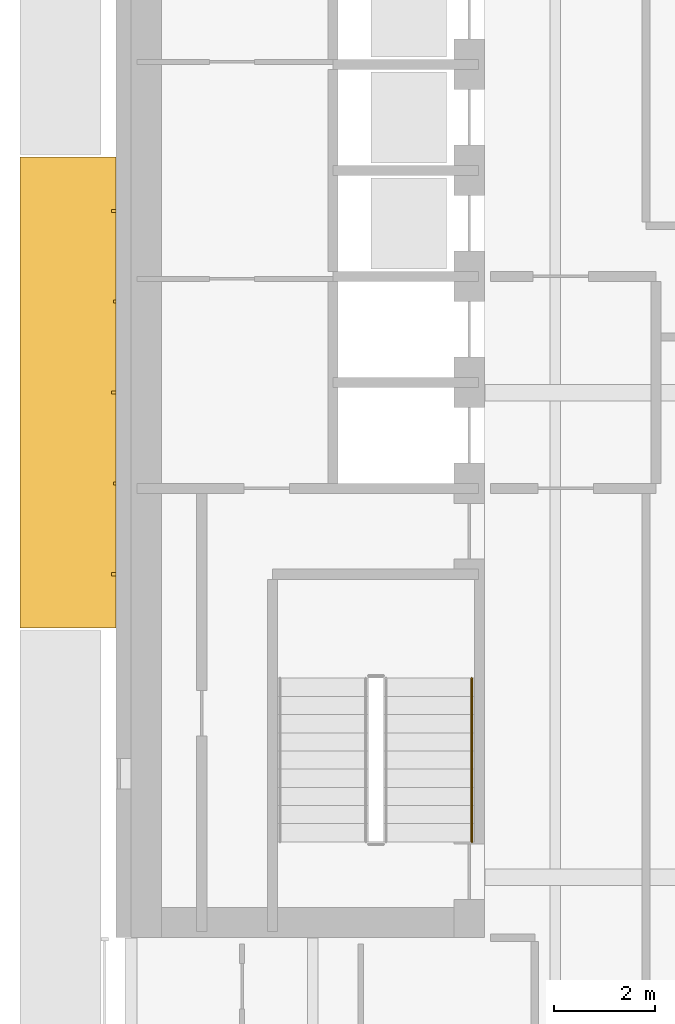
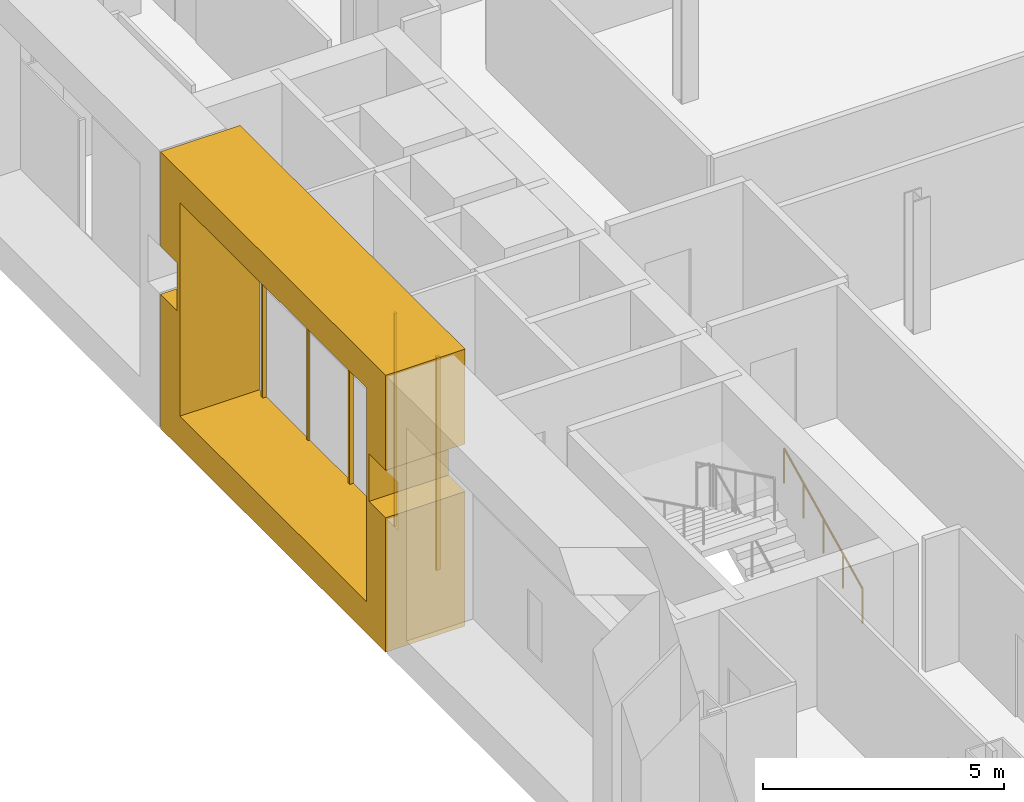
# One storey, part 15 of 19: 6 coverings, 1 railing.
"""IFC4 building model written with IfcOpenShell, lengths in metres."""

import ifcopenshell
import ifcopenshell.guid

model = None  # the IFC model being written
_history = None  # IfcOwnerHistory: only IFC2X3 demands one
_inside = {}  # id of a spatial element -> (the spatial element, [elements in it])
_under = {}  # id of a project, library or spatial element -> (it, [spatial elements below it])
_declared = {}  # id of a project -> (the project, [libraries it declares])
_typed = {}  # id of a type object -> (the type object, [elements of that type])
_made_of = {}  # id of a material, layer set ... -> (it, [elements and type objects made of it])


def new_model(schema):
    """Start an empty IFC model of exactly this schema.

    Asked for "IFC4X3", IfcOpenShell would pick the latest addendum, in which some entities
    have other attributes; the version numbers below select the first issue.
    IFC2X3 requires an IfcOwnerHistory on every rooted entity: one is made here for all.
    """
    global model, _history
    if schema == "IFC4X3":
        model = ifcopenshell.file(schema_version=(4, 3, 0, 0))
    else:
        model = ifcopenshell.file(schema=schema)
    _inside.clear()
    _under.clear()
    _declared.clear()
    _typed.clear()
    _made_of.clear()
    _history = None
    if model.schema == "IFC2X3":
        org = make("IfcOrganization", Name="unknown")
        user = make(
            "IfcPersonAndOrganization",
            ThePerson=make("IfcPerson", FamilyName="unknown"),
            TheOrganization=org,
        )
        app = make(
            "IfcApplication",
            ApplicationDeveloper=org,
            Version="unknown",
            ApplicationFullName="unknown",
            ApplicationIdentifier="unknown",
        )
        _history = make(
            "IfcOwnerHistory",
            OwningUser=user,
            OwningApplication=app,
            ChangeAction="ADDED",
            CreationDate=0,
        )
    return model


def make(cls, **values):
    """One entity of the class cls with the attributes given. An attribute that is None is left unset."""
    return model.create_entity(
        cls, **{name: value for name, value in values.items() if value is not None}
    )


def rooted(cls, **values):
    """An entity with a GlobalId (a new one), such as an element, a storey or a relation."""
    return make(cls, GlobalId=ifcopenshell.guid.new(), OwnerHistory=_history, **values)


def si_unit(unit_type, name, prefix=None):
    """IfcSIUnit, for example si_unit("LENGTHUNIT", "METRE", prefix="MILLI")."""
    return make("IfcSIUnit", UnitType=unit_type, Prefix=prefix, Name=name)


def assignment(units):
    """IfcUnitAssignment: the units of a project."""
    return None if units is None else make("IfcUnitAssignment", Units=units)


def point(xyz):
    """IfcCartesianPoint."""
    return None if xyz is None else make("IfcCartesianPoint", Coordinates=xyz)


def direction(xyz):
    """IfcDirection."""
    return None if xyz is None else make("IfcDirection", DirectionRatios=xyz)


def frame(location, z_axis=None, x_axis=None):
    """IfcAxis2Placement3D, a coordinate frame: its origin and axes. An axis left out is left unset."""
    return make(
        "IfcAxis2Placement3D",
        Location=point(location),
        Axis=direction(z_axis),
        RefDirection=direction(x_axis),
    )


def frame_2d(location, x_axis=None):
    """IfcAxis2Placement2D, a coordinate frame in the plane: its origin and x axis."""
    return make(
        "IfcAxis2Placement2D", Location=point(location), RefDirection=direction(x_axis)
    )


def origin():
    """The frame at (0, 0, 0) with its axes left unset."""
    return frame((0.0, 0.0, 0.0))


def origin_2d():
    """The frame at (0, 0) in the plane with its x axis left unset."""
    return frame_2d((0.0, 0.0))


def place(relative_to, where):
    """IfcLocalPlacement: puts the frame where relative to a parent placement (None: the world)."""
    return make(
        "IfcLocalPlacement", PlacementRelTo=relative_to, RelativePlacement=where
    )


def context(
    kind, dimensions, precision=None, world=None, true_north=None, identifier=None
):
    """IfcGeometricRepresentationContext, for example the 3D "Model" context."""
    return make(
        "IfcGeometricRepresentationContext",
        ContextIdentifier=identifier,
        ContextType=kind,
        CoordinateSpaceDimension=dimensions,
        Precision=precision,
        WorldCoordinateSystem=world,
        TrueNorth=true_north,
    )


def subcontext(parent, identifier, kind, view, scale=None):
    """IfcGeometricRepresentationSubContext, for example "Body" below "Model"."""
    return make(
        "IfcGeometricRepresentationSubContext",
        ContextIdentifier=identifier,
        ContextType=kind,
        ParentContext=parent,
        TargetScale=scale,
        TargetView=view,
    )


def project(units=None, contexts=None):
    """IfcProject with its units and contexts."""
    return rooted(
        "IfcProject",
        Name="project",
        RepresentationContexts=contexts,
        UnitsInContext=assignment(units),
    )


def spatial(cls, under=None, at=None, **own):
    """A site, building, storey or space (cls), placed at a placement, below another one or the project."""
    s = rooted(cls, ObjectPlacement=at, **own)
    if under is not None:
        _under.setdefault(under.id(), (under, []))[1].append(s)
    return s


def polyline(points):
    """IfcPolyline through the points."""
    return make("IfcPolyline", Points=[point(p) for p in points])


def profile(cls, at=None, kind="AREA", **sizes):
    """A parametric profile (cls). Its sizes go by their IFC names, for example OverallWidth=200.0."""
    return make(cls, ProfileType=kind, Position=at, **sizes)


def rectangle(**sizes):
    """IfcRectangleProfileDef."""
    return profile("IfcRectangleProfileDef", **sizes)


def circle(**sizes):
    """IfcCircleProfileDef."""
    return profile("IfcCircleProfileDef", **sizes)


def outline(outer, holes=None, kind="AREA"):
    """IfcArbitraryClosedProfileDef: a profile drawn as a closed curve; with holes, ...WithVoids."""
    if holes is None:
        return make("IfcArbitraryClosedProfileDef", ProfileType=kind, OuterCurve=outer)
    return make(
        "IfcArbitraryProfileDefWithVoids",
        ProfileType=kind,
        OuterCurve=outer,
        InnerCurves=holes,
    )


def extrude(swept, where, along, depth):
    """IfcExtrudedAreaSolid: the profile swept, set in the frame where, extruded along a direction by depth."""
    return make(
        "IfcExtrudedAreaSolid",
        SweptArea=swept,
        Position=where,
        ExtrudedDirection=direction(along),
        Depth=depth,
    )


def shape(context_of_items, identifier, shape_type, items):
    """IfcShapeRepresentation: the items that make up one representation, for example the "Body"."""
    return make(
        "IfcShapeRepresentation",
        ContextOfItems=context_of_items,
        RepresentationIdentifier=identifier,
        RepresentationType=shape_type,
        Items=items,
    )


def material(Name=None, Category=None):
    """IfcMaterial."""
    return make("IfcMaterial", Name=Name, Category=Category)


def made_of(thing, what):
    """Note that an element or type object is made of a material, layer set ...; save() writes the relation."""
    if what is not None:
        _made_of.setdefault(what.id(), (what, []))[1].append(thing)
    return thing


def type_object(cls, material=None, **own):
    """A type object (cls), such as IfcWallType, which elements share."""
    return made_of(rooted(cls, **own), material)


def element(
    cls,
    number,
    at=None,
    inside=None,
    cuts=None,
    type_object=None,
    material=None,
    context=None,
    identifier="Body",
    shape_type=None,
    held_by="IfcProductDefinitionShape",
    body=None,
    shapes=None,
    **own,
):
    """One element of the class cls, such as IfcWall. Its Tag is "e" and its number.

    at: its placement. inside: the storey or other place that contains it. cuts: it is an
    opening in that element (IfcRelVoidsElement). A single representation is given by context,
    identifier, shape_type and body (its items); several are given by shapes. held_by: the class
    of the entity that holds the representations. save() writes the other relations.
    """
    e = rooted(cls, Tag="e%d" % number, ObjectPlacement=at, **own)
    if body is not None:
        shapes = [shape(context, identifier, shape_type, body)]
    if shapes is not None:
        e.Representation = make(held_by, Representations=shapes)
    if inside is not None:
        _inside.setdefault(inside.id(), (inside, []))[1].append(e)
    if cuts is not None:
        rooted(
            "IfcRelVoidsElement", RelatingBuildingElement=cuts, RelatedOpeningElement=e
        )
    if type_object is not None:
        _typed.setdefault(type_object.id(), (type_object, []))[1].append(e)
    return made_of(e, material)


def aggregate(whole, parts):
    """IfcRelAggregates: a whole, such as a stair, and the parts it consists of."""
    return rooted("IfcRelAggregates", RelatingObject=whole, RelatedObjects=parts)


def save(model, path):
    """Write the relations noted so far, then the file.

    IfcRelAggregates (storeys below a building ...), IfcRelContainedInSpatialStructure (elements
    in a storey), IfcRelDefinesByType, IfcRelAssociatesMaterial and IfcRelDeclares: one each for
    every whole, place, type object, material and project.
    """
    for whole, parts in _under.values():
        aggregate(whole, parts)
    for where, things in _inside.values():
        rooted(
            "IfcRelContainedInSpatialStructure",
            RelatedElements=things,
            RelatingStructure=where,
        )
    for kind, things in _typed.values():
        rooted("IfcRelDefinesByType", RelatedObjects=things, RelatingType=kind)
    for what, things in _made_of.values():
        rooted("IfcRelAssociatesMaterial", RelatedObjects=things, RelatingMaterial=what)
    for by, libraries in _declared.values():
        rooted("IfcRelDeclares", RelatingContext=by, RelatedDefinitions=libraries)
    model.write(path)


model = new_model("IFC4")

# Units and contexts
model_context = context("Model", 3, precision=1e-05, world=origin(), true_north=direction((0.0, 1.0)))
body_context = subcontext(model_context, "Body", "Model", "MODEL_VIEW")
ifc_project = project(units=[si_unit("LENGTHUNIT", "METRE"), si_unit("AREAUNIT", "SQUARE_METRE"), si_unit("VOLUMEUNIT", "CUBIC_METRE"), si_unit("PLANEANGLEUNIT", "RADIAN"), si_unit("MASSUNIT", "GRAM", prefix="KILO")], contexts=[model_context])

# Site, building, storey
site_placement = place(None, origin())
site = spatial("IfcSite", under=ifc_project, at=site_placement, CompositionType="ELEMENT")
building_placement = place(site_placement, origin())
building = spatial("IfcBuilding", under=site, at=building_placement, Name="Cobrizo Arcos Hotel Tower", CompositionType="ELEMENT")
storey_placement = place(building_placement, frame((0.0, 0.0, 103.0)))
storey = spatial("IfcBuildingStorey", under=building, at=storey_placement, Name="L25", CompositionType="ELEMENT", Elevation=103.0)

# Coverings
ifc_material_1 = material(Name="Aluminium 6063-T6 anodised bronze", Category="aluminium")
covering_type_1 = type_object("IfcCoveringType", Name="FIN-F 1900", PredefinedType="CLADDING", material=ifc_material_1)
covering_placement = place(storey_placement, frame((-23.10009765625, 4.66259765625, 0.0), z_axis=(-1.0, 0.0, 0.0), x_axis=(0.0, -1.0, 0.0)))
element("IfcCovering", 1, at=covering_placement, inside=storey, type_object=covering_type_1, Name="Fin frame 156", PredefinedType="CLADDING", context=body_context, shape_type="SweptSolid", body=[
    extrude(outline(polyline([(9.324951171875, 0.0), (9.324951171875, 3.39794921875), (8.635498046875, 3.39794921875), (8.635498046875, 4.60205078125), (9.324951171875, 4.60205078125), (9.324951171875, 7.0), (0.0, 7.0), (0.0, 4.60205078125), (0.689453125, 4.60205078125), (0.689453125, 3.39794921875), (0.0, 3.39794921875), (0.0, 0.0), (9.324951171875, 0.0)]), holes=[polyline([(8.52490234375, 0.800048828125), (0.800048828125, 0.800048828125), (0.800048828125, 6.199951171875), (8.52490234375, 6.199951171875), (8.52490234375, 0.800048828125)])]), origin(), (0.0, 0.0, 1.0), 1.89990234375),
])
ifc_material_2 = material(Name="Aluminium 6063-T6 anodised pale", Category="aluminium")
covering_type_2 = type_object("IfcCoveringType", Name="RS-1 rainscreen rib 60x90", PredefinedType="CLADDING", material=ifc_material_2)
for number, where, z_axis, x_axis, name in (
    (2, (-23.14501953125, 3.60009765625, 0.800048828125), (0.0, 0.0, 1.0), (0.0, -1.0, 0.0), "Rainscreen rib 154"),
    (3, (-23.14501953125, 0.0, 0.800048828125), (0.0, 0.0, 1.0), (0.0, -1.0, 0.0), "Rainscreen rib 156"),
    (4, (-23.14501953125, -3.60009765625, 0.800048828125), (0.0, 0.0, 1.0), (0.0, -1.0, 0.0), "Rainscreen rib 158"),
):
    element("IfcCovering", number, at=place(storey_placement, frame(where, z_axis=z_axis, x_axis=x_axis)), inside=storey, type_object=covering_type_2, Name=name, PredefinedType="CLADDING", context=body_context, shape_type="SweptSolid", body=[
        extrude(rectangle(XDim=0.06005859375, YDim=0.090087890625, at=origin_2d()), origin(), (0.0, 0.0, 1.0), 5.39990234375),
    ])
covering_type_3 = type_object("IfcCoveringType", Name="RS-2 rainscreen rib 60x50", PredefinedType="CLADDING", material=ifc_material_2)
for number, where, z_axis, x_axis, name in (
    (5, (-23.125, 1.800048828125, 0.800048828125), (0.0, 0.0, 1.0), (0.0, -1.0, 0.0), "Rainscreen rib 155"),
    (6, (-23.125, -1.800048828125, 0.800048828125), (0.0, 0.0, 1.0), (0.0, -1.0, 0.0), "Rainscreen rib 157"),
):
    element("IfcCovering", number, at=place(storey_placement, frame(where, z_axis=z_axis, x_axis=x_axis)), inside=storey, type_object=covering_type_3, Name=name, PredefinedType="CLADDING", context=body_context, shape_type="SweptSolid", body=[
        extrude(rectangle(XDim=0.06005859375, YDim=0.050048828125, at=origin_2d()), origin(), (0.0, 0.0, 1.0), 5.39990234375),
    ])

# Railing
ifc_material_3 = material(Name="Stainless steel railing", Category="steel")
railing_type = type_object("IfcRailingType", Name="Stair handrail", PredefinedType="HANDRAIL", material=ifc_material_3)
railing_placement = place(storey_placement, frame((-16.050048828125, -8.89990234375, 0.175048828125)))
element("IfcRailing", 7, at=railing_placement, inside=storey, type_object=railing_type, Name="L25 ST-W stair handrail 1", PredefinedType="HANDRAIL", context=body_context, shape_type="SweptSolid", body=[
    extrude(circle(Radius=0.02392578125, at=origin_2d()), frame((0.0, 0.0, 0.8759765625), z_axis=(0.0, 0.899372665325, 0.437182809435), x_axis=(-1.0, 0.0, 0.0)), (0.0, 0.0, 1.0), 3.6025390625),
    extrude(circle(Radius=0.02099609375, at=origin_2d()), origin(), (0.0, 0.0, 1.0), 0.851806640625),
    extrude(circle(Radius=0.02099609375, at=origin_2d()), frame((0.0, 0.81005859375, 0.393798828125)), (0.0, 0.0, 1.0), 0.851806640625),
    extrude(circle(Radius=0.02099609375, at=origin_2d()), frame((0.0, 1.6201171875, 0.78759765625)), (0.0, 0.0, 1.0), 0.851806640625),
    extrude(circle(Radius=0.02099609375, at=origin_2d()), frame((0.0, 2.429931640625, 1.18115234375)), (0.0, 0.0, 1.0), 0.851806640625),
    extrude(circle(Radius=0.02099609375, at=origin_2d()), frame((0.0, 3.239990234375, 1.574951171875)), (0.0, 0.0, 1.0), 0.851806640625),
])

save(model, "model.ifc")
